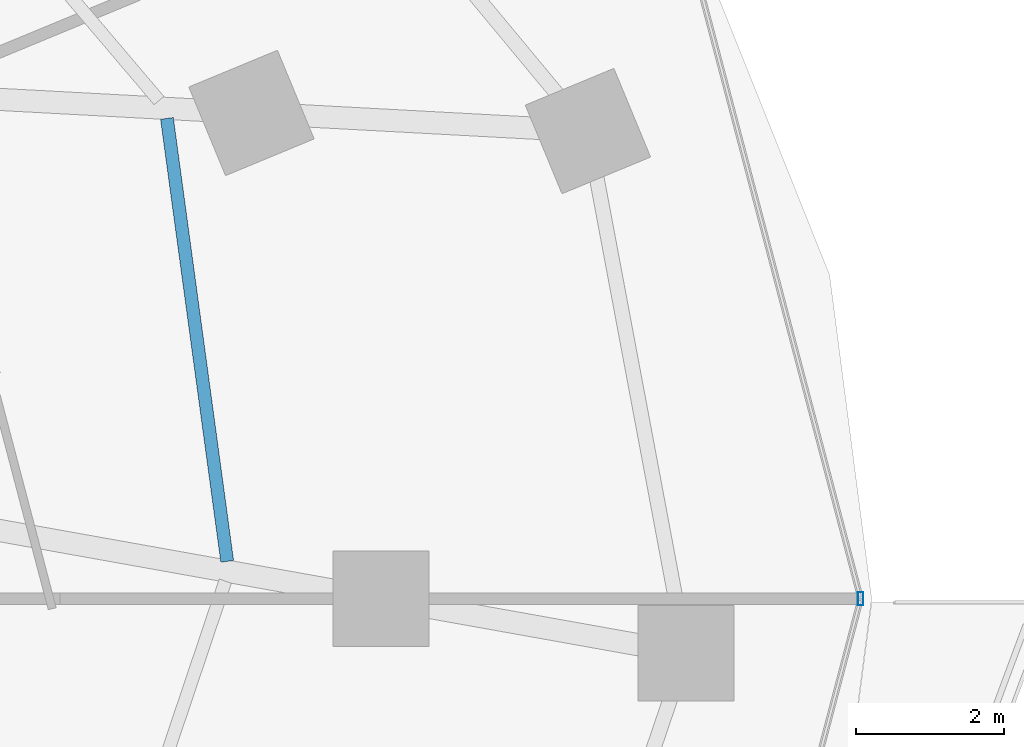
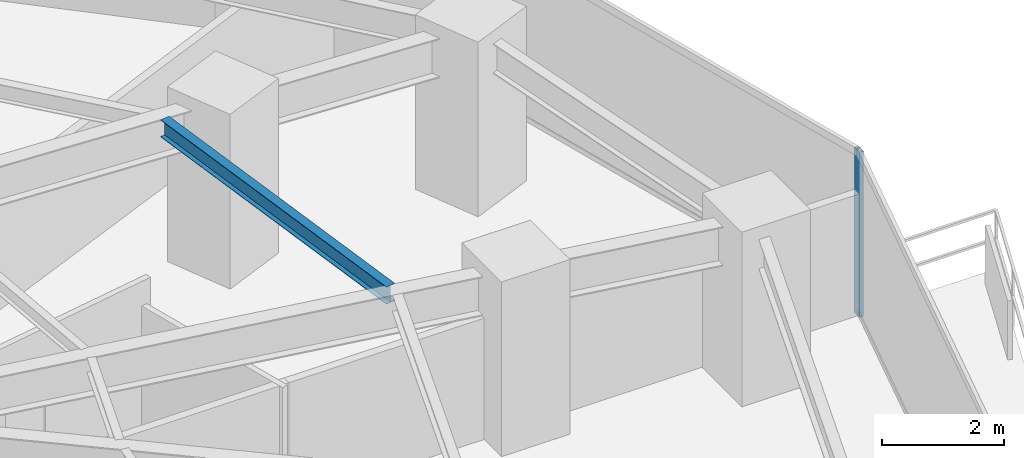
# One storey, part 16 of 34: 1 beam, 1 member, 1 element without a shape of its own.
"""IFC4 building model written with IfcOpenShell, lengths in metres."""

from ifc_helpers import new_model, si_unit, direction, frame, origin, origin_2d, place, context, subcontext, project, spatial, hollow_rectangle, i_section, extrude, material, material_profile, profile_set, type_object, element, aggregate, save


model = new_model("IFC4")

# Units and contexts
model_context = context("Model", 3, precision=1e-05, world=origin(), true_north=direction((0.0, 1.0)))
body_context = subcontext(model_context, "Body", "Model", "MODEL_VIEW")
ifc_project = project(units=[si_unit("LENGTHUNIT", "METRE"), si_unit("AREAUNIT", "SQUARE_METRE"), si_unit("VOLUMEUNIT", "CUBIC_METRE"), si_unit("PLANEANGLEUNIT", "RADIAN"), si_unit("MASSUNIT", "GRAM", prefix="KILO")], contexts=[model_context])

# Site, building, storey
site_placement = place(None, origin())
site = spatial("IfcSite", under=ifc_project, at=site_placement, CompositionType="ELEMENT")
building_placement = place(site_placement, origin())
building = spatial("IfcBuilding", under=site, at=building_placement, Name="Vorneva Point Tower", CompositionType="ELEMENT")
storey_placement = place(building_placement, frame((0.0, 0.0, 31.0)))
storey = spatial("IfcBuildingStorey", under=building, at=storey_placement, Name="L07", CompositionType="ELEMENT", Elevation=31.0)

# Beam
ifc_material_1 = material(Name="Steel S355", Category="steel")
ifc_material_profile_1 = material_profile(ifc_material_1, i_section(OverallWidth=0.174072265625, OverallDepth=0.345947265625, WebThickness=0.006103515625, FlangeThickness=0.009033203125, at=origin_2d()), Name="35B1")
ifc_profile_set_1 = profile_set([ifc_material_profile_1], Name="Steel S355")
beam_type = type_object("IfcBeamType", Name="BM-SEC-35B1", PredefinedType="BEAM", material=ifc_profile_set_1)
beam_placement = place(storey_placement, frame((58.966552734375, 26.506103515625, 3.06689453125), z_axis=(-0.134821822174, 0.99086985839, 0.0), x_axis=(-0.99086985839, -0.134821822174, 0.0)))
element("IfcBeam", 1, at=beam_placement, inside=storey, type_object=beam_type, Name="L07 Secondary Floor Beam 1.01", PredefinedType="BEAM", context=body_context, shape_type="SweptSolid", body=[
    extrude(i_section(OverallWidth=0.174072265625, OverallDepth=0.345947265625, WebThickness=0.006103515625, FlangeThickness=0.009033203125, at=origin_2d()), origin(), (0.0, 0.0, 1.0), 6.057373046875),
])

# Curtain wall, member
ifc_material_2 = material(Name="Pale anodised aluminium", Category="aluminium")
curtain_wall_type = type_object("IfcCurtainWallType", Name="CW-HTL-SYS", PredefinedType="NOTDEFINED", material=ifc_material_2)
curtain_wall_placement = place(storey_placement, origin())
curtain_wall = element("IfcCurtainWall", 2, at=curtain_wall_placement, inside=storey, type_object=curtain_wall_type, Name="L07 Unitised Curtain Wall CW-L07-R01", PredefinedType="NOTDEFINED")
ifc_material_profile_2 = material_profile(ifc_material_2, hollow_rectangle(XDim=0.074951171875, YDim=0.179931640625, WallThickness=0.00390625, at=origin_2d()), Name="AL-MUL 180x75x4")
ifc_profile_set_2 = profile_set([ifc_material_profile_2], Name="Pale anodised aluminium")
member_type = type_object("IfcMemberType", Name="CW-MUL-180", PredefinedType="MULLION", material=ifc_profile_set_2)
member_placement = place(storey_placement, frame((67.550048828125, 26.0, -0.0400390625), z_axis=(0.0, 0.0, 1.0), x_axis=(1.0, 0.0, 0.0)))
member = element("IfcMember", 3, at=member_placement, type_object=member_type, Name="CW-L07-R01 Mullion 03", PredefinedType="MULLION", context=body_context, shape_type="SweptSolid", body=[
    extrude(hollow_rectangle(XDim=0.074951171875, YDim=0.179931640625, WallThickness=0.00390625, at=origin_2d()), origin(), (0.0, 0.0, 1.0), 3.31005859375),
])
aggregate(curtain_wall, [member])

save(model, "model.ifc")
